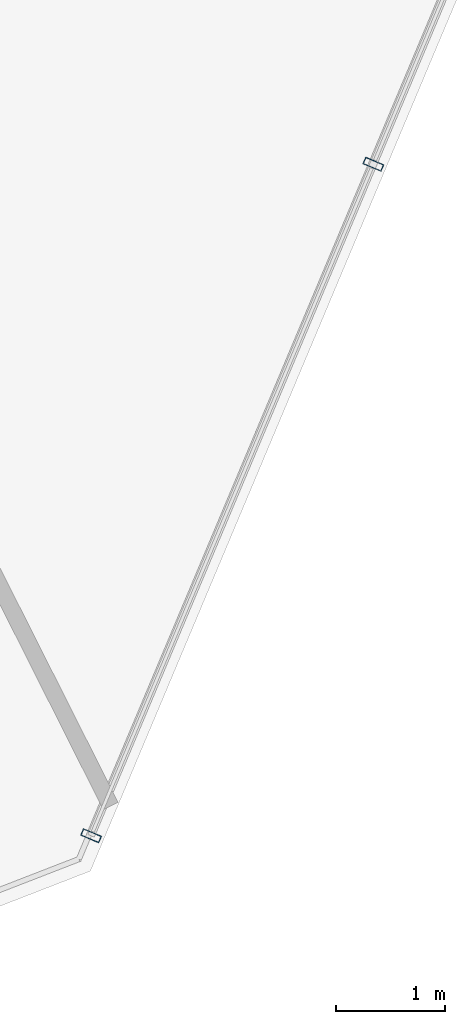
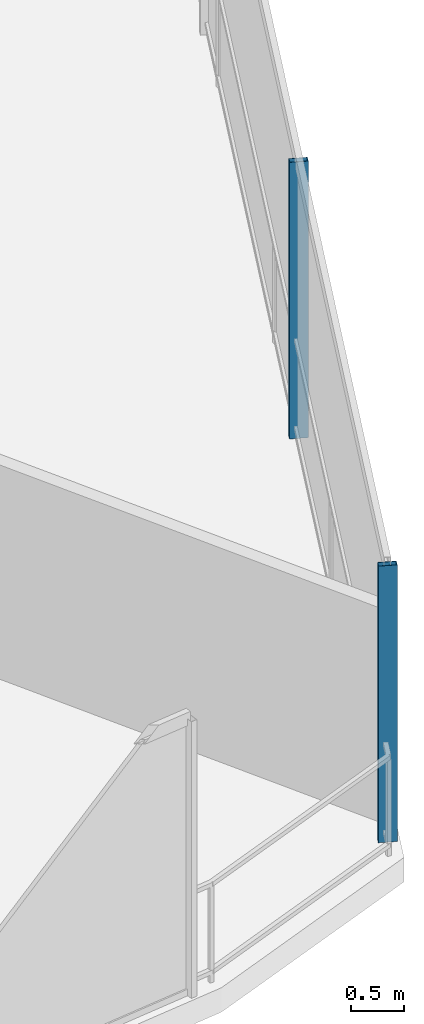
# One storey, part 11 of 30: 2 members, 1 element without a shape of its own.
"""IFC4 building model written with IfcOpenShell, lengths in metres."""

from ifc_helpers import new_model, si_unit, direction, frame, origin, origin_2d, place, context, subcontext, project, spatial, hollow_rectangle, extrude, material, layer, layer_set, material_profile, profile_set, type_object, element, aggregate, save


model = new_model("IFC4")

# Units and contexts
model_context = context("Model", 3, precision=1e-05, world=origin(), true_north=direction((0.0, 1.0)))
body_context = subcontext(model_context, "Body", "Model", "MODEL_VIEW")
ifc_project = project(units=[si_unit("LENGTHUNIT", "METRE"), si_unit("AREAUNIT", "SQUARE_METRE"), si_unit("VOLUMEUNIT", "CUBIC_METRE"), si_unit("PLANEANGLEUNIT", "RADIAN"), si_unit("MASSUNIT", "GRAM", prefix="KILO")], contexts=[model_context])

# Site, building, storey
site_placement = place(None, origin())
site = spatial("IfcSite", under=ifc_project, at=site_placement, CompositionType="ELEMENT")
building_placement = place(site_placement, origin())
building = spatial("IfcBuilding", under=site, at=building_placement, Name="Qarnah Convention Tower", CompositionType="ELEMENT")
storey_placement = place(building_placement, frame((0.0, 0.0, 93.60009765625)))
storey = spatial("IfcBuildingStorey", under=building, at=storey_placement, Name="L24", CompositionType="ELEMENT", Elevation=93.60009765625)

# Curtain wall, members
ifc_material_1 = material(Name="Tempered Low-E dark glass", Category="glass")
ifc_layer = layer(ifc_material_1, 0.169921875)
ifc_layer_set = layer_set([ifc_layer], Name="Tempered Low-E dark glass")
curtain_wall_type = type_object("IfcCurtainWallType", Name="CWS-02", PredefinedType="NOTDEFINED", material=ifc_layer_set)
curtain_wall_placement = place(storey_placement, origin())
curtain_wall = element("IfcCurtainWall", 1, at=curtain_wall_placement, inside=storey, type_object=curtain_wall_type, Name="L24 unitised curtain wall CW-L24-F3", PredefinedType="NOTDEFINED")
ifc_material_2 = material(Name="Black anodised aluminium", Category="aluminium")
ifc_material_profile = material_profile(ifc_material_2, hollow_rectangle(XDim=0.06494140625, YDim=0.179931640625, WallThickness=0.00390625, at=origin_2d()), Name="MUL-65X180")
ifc_profile_set = profile_set([ifc_material_profile], Name="Black anodised aluminium")
member_type = type_object("IfcMemberType", Name="MUL-T2", PredefinedType="MULLION", material=ifc_profile_set)
member_1_placement = place(storey_placement, frame((50.709228515625, 9.91357421875, 0.0), z_axis=(0.0, 0.0, 1.0), x_axis=(-0.387506592377, -0.921866932298, 0.0)))
member_1 = element("IfcMember", 2, at=member_1_placement, type_object=member_type, Name="CW-L24-F3 mullion 5", PredefinedType="MULLION", context=body_context, shape_type="SweptSolid", body=[
    extrude(hollow_rectangle(XDim=0.06494140625, YDim=0.179931640625, WallThickness=0.00390625, at=origin_2d()), origin(), (0.0, 0.0, 1.0), 3.169921875),
])
member_2_placement = place(storey_placement, frame((48.1279296875, 3.77294921875, 0.0), z_axis=(0.0, 0.0, 1.0), x_axis=(-0.387506592377, -0.921866932298, 0.0)))
member_2 = element("IfcMember", 3, at=member_2_placement, type_object=member_type, Name="CW-L24-F3 mullion 6", PredefinedType="MULLION", context=body_context, shape_type="SweptSolid", body=[
    extrude(hollow_rectangle(XDim=0.06494140625, YDim=0.179931640625, WallThickness=0.00390625, at=origin_2d()), origin(), (0.0, 0.0, 1.0), 3.169921875),
])
aggregate(curtain_wall, [member_1, member_2])

save(model, "model.ifc")
